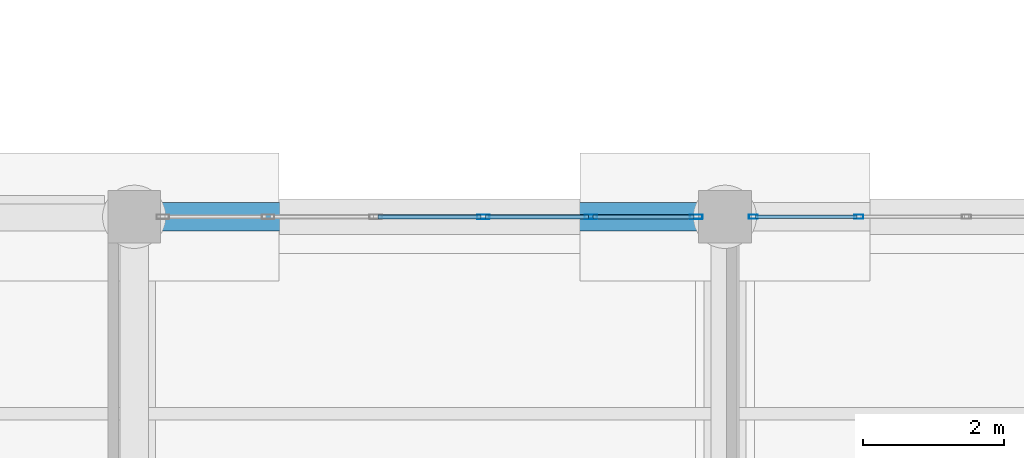
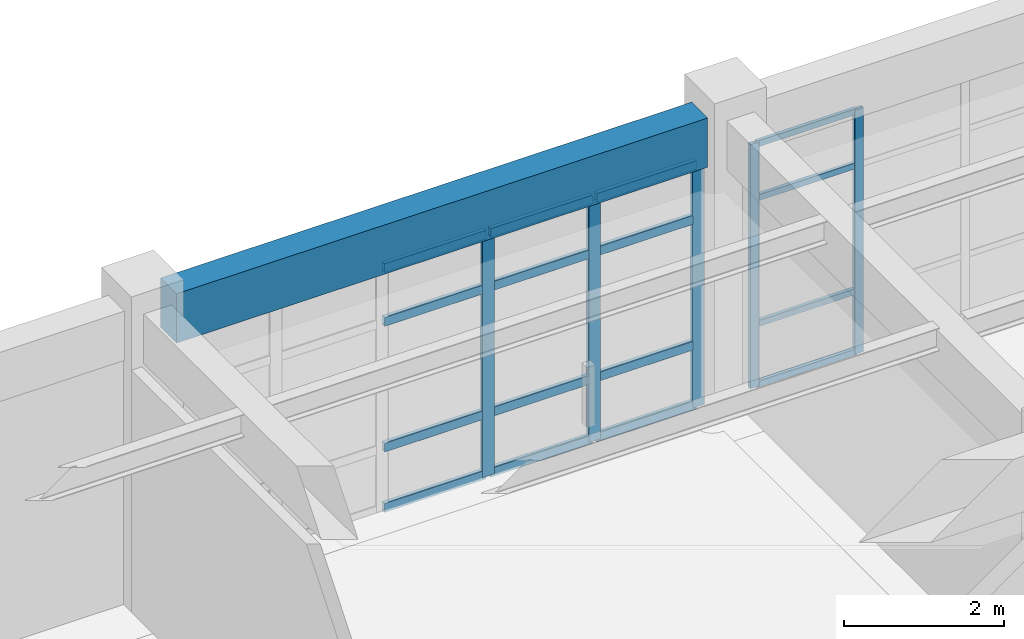
# One storey, part 6 of 29: 21 members, 1 beam, 2 elements without a shape of their own.
"""IFC4 building model written with IfcOpenShell, lengths in metres."""

from ifc_helpers import new_model, si_unit, direction, frame, origin, origin_2d, place, context, subcontext, project, spatial, rectangle, hollow_rectangle, extrude, material, material_profile, profile_set, type_object, element, aggregate, save


model = new_model("IFC4")

# Units and contexts
model_context = context("Model", 3, precision=1e-05, world=origin(), true_north=direction((0.0, 1.0)))
body_context = subcontext(model_context, "Body", "Model", "MODEL_VIEW")
ifc_project = project(units=[si_unit("LENGTHUNIT", "METRE"), si_unit("AREAUNIT", "SQUARE_METRE"), si_unit("VOLUMEUNIT", "CUBIC_METRE"), si_unit("PLANEANGLEUNIT", "RADIAN"), si_unit("MASSUNIT", "GRAM", prefix="KILO")], contexts=[model_context])

# Site, building, storey
site_placement = place(None, origin())
site = spatial("IfcSite", under=ifc_project, at=site_placement, CompositionType="ELEMENT")
building_placement = place(site_placement, origin())
building = spatial("IfcBuilding", under=site, at=building_placement, Name="Canglan Escarpment Cableway Terminal", CompositionType="ELEMENT")
storey_placement = place(building_placement, origin())
storey = spatial("IfcBuildingStorey", under=building, at=storey_placement, Name="L00", CompositionType="ELEMENT", Elevation=0.0)

# Curtain wall, members
ifc_material_1 = material(Name="Anodized bronze aluminium and Low-E double glazing", Category="aluminium")
curtain_wall_type = type_object("IfcCurtainWallType", Name="CW-BAY-7650x3725", PredefinedType="NOTDEFINED", material=ifc_material_1)
curtain_wall_1_placement = place(storey_placement, origin())
curtain_wall_1 = element("IfcCurtainWall", 1, at=curtain_wall_1_placement, inside=storey, type_object=curtain_wall_type, Name="Classical bay-between-piers glazed curtain wall CW-01", PredefinedType="NOTDEFINED")
ifc_material_2 = material(Name="Thermally broken anodized aluminium 6063-T6", Category="aluminium")
ifc_material_profile_1 = material_profile(ifc_material_2, hollow_rectangle(XDim=0.06005859375, YDim=0.1298828125, WallThickness=0.0029296875, InnerFilletRadius=0.0029296875, OuterFilletRadius=0.006103515625, at=origin_2d()), Name="ALU-MULL 60x130x3")
ifc_profile_set_1 = profile_set([ifc_material_profile_1], Name="Thermally broken anodized aluminium 6063-T6")
member_type_1 = type_object("IfcMemberType", Name="CWM-01", PredefinedType="MULLION", material=ifc_profile_set_1)
member_1_placement = place(storey_placement, frame((35.10498046875, 24.800048828125, 0.0), z_axis=(0.0, 0.0, 1.0), x_axis=(0.0, -1.0, 0.0)))
member_1 = element("IfcMember", 2, at=member_1_placement, type_object=member_type_1, Name="CW-01 mullion 5", PredefinedType="MULLION", context=body_context, shape_type="SweptSolid", body=[
    extrude(hollow_rectangle(XDim=0.06005859375, YDim=0.1298828125, WallThickness=0.0029296875, InnerFilletRadius=0.0029296875, OuterFilletRadius=0.006103515625, at=origin_2d()), origin(), (0.0, 0.0, 1.0), 3.715087890625),
])
member_2_placement = place(storey_placement, frame((33.60498046875, 24.800048828125, 0.0), z_axis=(0.0, 0.0, 1.0), x_axis=(0.0, -1.0, 0.0)))
member_2 = element("IfcMember", 3, at=member_2_placement, type_object=member_type_1, Name="CW-01 mullion 6", PredefinedType="MULLION", context=body_context, shape_type="SweptSolid", body=[
    extrude(hollow_rectangle(XDim=0.06005859375, YDim=0.1298828125, WallThickness=0.0029296875, InnerFilletRadius=0.0029296875, OuterFilletRadius=0.006103515625, at=origin_2d()), origin(), (0.0, 0.0, 1.0), 3.715087890625),
])

curtain_wall_2_placement = place(storey_placement, origin())
curtain_wall_2 = element("IfcCurtainWall", 4, at=curtain_wall_2_placement, inside=storey, type_object=curtain_wall_type, Name="Classical bay-between-piers glazed curtain wall CW-01", PredefinedType="NOTDEFINED")
ifc_material_profile_2 = material_profile(ifc_material_2, hollow_rectangle(XDim=0.06494140625, YDim=0.179931640625, WallThickness=0.00390625, InnerFilletRadius=0.00390625, OuterFilletRadius=0.008056640625, at=origin_2d()), Name="ALU-MULL 65x180x4")
ifc_profile_set_2 = profile_set([ifc_material_profile_2], Name="Thermally broken anodized aluminium 6063-T6")
member_type_2 = type_object("IfcMemberType", Name="CWM-03", PredefinedType="MULLION", material=ifc_profile_set_2)
member_3_placement = place(storey_placement, frame((32.79248046875, 24.800048828125, 0.0), z_axis=(0.0, 0.0, 1.0), x_axis=(0.0, -1.0, 0.0)))
member_3 = element("IfcMember", 5, at=member_3_placement, type_object=member_type_2, Name="CW-01 mullion 1", PredefinedType="MULLION", context=body_context, shape_type="SweptSolid", body=[
    extrude(hollow_rectangle(XDim=0.06494140625, YDim=0.179931640625, WallThickness=0.00390625, InnerFilletRadius=0.00390625, OuterFilletRadius=0.008056640625, at=origin_2d()), origin(), (0.0, 0.0, 1.0), 3.715087890625),
])
member_4_placement = place(storey_placement, frame((31.294921875, 24.800048828125, 0.0), z_axis=(0.0, 0.0, 1.0), x_axis=(0.0, -1.0, 0.0)))
member_4 = element("IfcMember", 6, at=member_4_placement, type_object=member_type_2, Name="CW-01 mullion 2", PredefinedType="MULLION", context=body_context, shape_type="SweptSolid", body=[
    extrude(hollow_rectangle(XDim=0.06494140625, YDim=0.179931640625, WallThickness=0.00390625, InnerFilletRadius=0.00390625, OuterFilletRadius=0.008056640625, at=origin_2d()), origin(), (0.0, 0.0, 1.0), 3.715087890625),
])
member_5_placement = place(storey_placement, frame((29.764892578125, 24.800048828125, 0.0), z_axis=(0.0, 0.0, 1.0), x_axis=(0.0, -1.0, 0.0)))
member_5 = element("IfcMember", 7, at=member_5_placement, type_object=member_type_2, Name="CW-01 mullion 3", PredefinedType="MULLION", context=body_context, shape_type="SweptSolid", body=[
    extrude(hollow_rectangle(XDim=0.06494140625, YDim=0.179931640625, WallThickness=0.00390625, InnerFilletRadius=0.00390625, OuterFilletRadius=0.008056640625, at=origin_2d()), origin(), (0.0, 0.0, 1.0), 3.715087890625),
])

# Member
ifc_material_profile_3 = material_profile(ifc_material_2, hollow_rectangle(XDim=0.054931640625, YDim=0.094970703125, WallThickness=0.0029296875, InnerFilletRadius=0.0029296875, OuterFilletRadius=0.006103515625, at=origin_2d()), Name="ALU-TRAN 55x95x3")
ifc_profile_set_3 = profile_set([ifc_material_profile_3], Name="Thermally broken anodized aluminium 6063-T6")
member_type_3 = type_object("IfcMemberType", Name="CWT-01", PredefinedType="USERDEFINED", material=ifc_profile_set_3)
member_6_placement = place(storey_placement, frame((35.074951171875, 24.800048828125, 0.027587890625), z_axis=(-1.0, 0.0, 0.0), x_axis=(0.0, -1.0, 0.0)))
member_6 = element("IfcMember", 8, at=member_6_placement, type_object=member_type_3, Name="CW-01 transom 5.1", ObjectType="TRANSOM", PredefinedType="USERDEFINED", context=body_context, shape_type="SweptSolid", body=[
    extrude(hollow_rectangle(XDim=0.054931640625, YDim=0.094970703125, WallThickness=0.0029296875, InnerFilletRadius=0.0029296875, OuterFilletRadius=0.006103515625, at=origin_2d()), origin(), (0.0, 0.0, 1.0), 1.43994140625),
])

member_7_placement = place(storey_placement, frame((35.074951171875, 24.800048828125, 0.949951171875), z_axis=(-1.0, 0.0, 0.0), x_axis=(0.0, -1.0, 0.0)))
member_7 = element("IfcMember", 9, at=member_7_placement, type_object=member_type_3, Name="CW-01 transom 5.2", ObjectType="TRANSOM", PredefinedType="USERDEFINED", context=body_context, shape_type="SweptSolid", body=[
    extrude(hollow_rectangle(XDim=0.054931640625, YDim=0.094970703125, WallThickness=0.0029296875, InnerFilletRadius=0.0029296875, OuterFilletRadius=0.006103515625, at=origin_2d()), origin(), (0.0, 0.0, 1.0), 1.43994140625),
])

member_8_placement = place(storey_placement, frame((35.074951171875, 24.800048828125, 2.864990234375), z_axis=(-1.0, 0.0, 0.0), x_axis=(0.0, -1.0, 0.0)))
member_8 = element("IfcMember", 10, at=member_8_placement, type_object=member_type_3, Name="CW-01 transom 5.3", ObjectType="TRANSOM", PredefinedType="USERDEFINED", context=body_context, shape_type="SweptSolid", body=[
    extrude(hollow_rectangle(XDim=0.054931640625, YDim=0.094970703125, WallThickness=0.0029296875, InnerFilletRadius=0.0029296875, OuterFilletRadius=0.006103515625, at=origin_2d()), origin(), (0.0, 0.0, 1.0), 1.43994140625),
])

member_9_placement = place(storey_placement, frame((35.074951171875, 24.800048828125, 3.6875), z_axis=(-1.0, 0.0, 0.0), x_axis=(0.0, -1.0, 0.0)))
member_9 = element("IfcMember", 11, at=member_9_placement, type_object=member_type_3, Name="CW-01 transom 5.4", ObjectType="TRANSOM", PredefinedType="USERDEFINED", context=body_context, shape_type="SweptSolid", body=[
    extrude(hollow_rectangle(XDim=0.054931640625, YDim=0.094970703125, WallThickness=0.0029296875, InnerFilletRadius=0.0029296875, OuterFilletRadius=0.006103515625, at=origin_2d()), origin(), (0.0, 0.0, 1.0), 1.43994140625),
])

aggregate(curtain_wall_1, [member_1, member_2, member_6, member_7, member_8, member_9])

ifc_material_profile_4 = material_profile(ifc_material_2, hollow_rectangle(XDim=0.06494140625, YDim=0.139892578125, WallThickness=0.00341796875, InnerFilletRadius=0.00341796875, OuterFilletRadius=0.007080078125, at=origin_2d()), Name="ALU-TRAN 65x140x3.5")
ifc_profile_set_4 = profile_set([ifc_material_profile_4], Name="Thermally broken anodized aluminium 6063-T6")
member_type_4 = type_object("IfcMemberType", Name="CWT-03", PredefinedType="USERDEFINED", material=ifc_profile_set_4)
member_10_placement = place(storey_placement, frame((32.760009765625, 24.800048828125, 0.032470703125), z_axis=(-1.0, 0.0, 0.0), x_axis=(0.0, -1.0, 0.0)))
member_10 = element("IfcMember", 12, at=member_10_placement, type_object=member_type_4, Name="CW-01 transom 1.1", ObjectType="TRANSOM", PredefinedType="USERDEFINED", context=body_context, shape_type="SweptSolid", body=[
    extrude(hollow_rectangle(XDim=0.06494140625, YDim=0.139892578125, WallThickness=0.00341796875, InnerFilletRadius=0.00341796875, OuterFilletRadius=0.007080078125, at=origin_2d()), origin(), (0.0, 0.0, 1.0), 1.4326171875),
])

member_11_placement = place(storey_placement, frame((32.760009765625, 24.800048828125, 0.949951171875), z_axis=(-1.0, 0.0, 0.0), x_axis=(0.0, -1.0, 0.0)))
member_11 = element("IfcMember", 13, at=member_11_placement, type_object=member_type_4, Name="CW-01 transom 1.2", ObjectType="TRANSOM", PredefinedType="USERDEFINED", context=body_context, shape_type="SweptSolid", body=[
    extrude(hollow_rectangle(XDim=0.06494140625, YDim=0.139892578125, WallThickness=0.00341796875, InnerFilletRadius=0.00341796875, OuterFilletRadius=0.007080078125, at=origin_2d()), origin(), (0.0, 0.0, 1.0), 1.4326171875),
])

member_12_placement = place(storey_placement, frame((32.760009765625, 24.800048828125, 2.864990234375), z_axis=(-1.0, 0.0, 0.0), x_axis=(0.0, -1.0, 0.0)))
member_12 = element("IfcMember", 14, at=member_12_placement, type_object=member_type_4, Name="CW-01 transom 1.3", ObjectType="TRANSOM", PredefinedType="USERDEFINED", context=body_context, shape_type="SweptSolid", body=[
    extrude(hollow_rectangle(XDim=0.06494140625, YDim=0.139892578125, WallThickness=0.00341796875, InnerFilletRadius=0.00341796875, OuterFilletRadius=0.007080078125, at=origin_2d()), origin(), (0.0, 0.0, 1.0), 1.4326171875),
])

member_13_placement = place(storey_placement, frame((32.760009765625, 24.800048828125, 3.6826171875), z_axis=(-1.0, 0.0, 0.0), x_axis=(0.0, -1.0, 0.0)))
member_13 = element("IfcMember", 15, at=member_13_placement, type_object=member_type_4, Name="CW-01 transom 1.4", ObjectType="TRANSOM", PredefinedType="USERDEFINED", context=body_context, shape_type="SweptSolid", body=[
    extrude(hollow_rectangle(XDim=0.06494140625, YDim=0.139892578125, WallThickness=0.00341796875, InnerFilletRadius=0.00341796875, OuterFilletRadius=0.007080078125, at=origin_2d()), origin(), (0.0, 0.0, 1.0), 1.4326171875),
])

member_14_placement = place(storey_placement, frame((31.262451171875, 24.800048828125, 0.032470703125), z_axis=(-1.0, 0.0, 0.0), x_axis=(0.0, -1.0, 0.0)))
member_14 = element("IfcMember", 16, at=member_14_placement, type_object=member_type_4, Name="CW-01 transom 2.1", ObjectType="TRANSOM", PredefinedType="USERDEFINED", context=body_context, shape_type="SweptSolid", body=[
    extrude(hollow_rectangle(XDim=0.06494140625, YDim=0.139892578125, WallThickness=0.00341796875, InnerFilletRadius=0.00341796875, OuterFilletRadius=0.007080078125, at=origin_2d()), origin(), (0.0, 0.0, 1.0), 1.46484375),
])

member_15_placement = place(storey_placement, frame((31.262451171875, 24.800048828125, 0.949951171875), z_axis=(-1.0, 0.0, 0.0), x_axis=(0.0, -1.0, 0.0)))
member_15 = element("IfcMember", 17, at=member_15_placement, type_object=member_type_4, Name="CW-01 transom 2.2", ObjectType="TRANSOM", PredefinedType="USERDEFINED", context=body_context, shape_type="SweptSolid", body=[
    extrude(hollow_rectangle(XDim=0.06494140625, YDim=0.139892578125, WallThickness=0.00341796875, InnerFilletRadius=0.00341796875, OuterFilletRadius=0.007080078125, at=origin_2d()), origin(), (0.0, 0.0, 1.0), 1.46484375),
])

member_16_placement = place(storey_placement, frame((31.262451171875, 24.800048828125, 2.864990234375), z_axis=(-1.0, 0.0, 0.0), x_axis=(0.0, -1.0, 0.0)))
member_16 = element("IfcMember", 18, at=member_16_placement, type_object=member_type_4, Name="CW-01 transom 2.3", ObjectType="TRANSOM", PredefinedType="USERDEFINED", context=body_context, shape_type="SweptSolid", body=[
    extrude(hollow_rectangle(XDim=0.06494140625, YDim=0.139892578125, WallThickness=0.00341796875, InnerFilletRadius=0.00341796875, OuterFilletRadius=0.007080078125, at=origin_2d()), origin(), (0.0, 0.0, 1.0), 1.46484375),
])

member_17_placement = place(storey_placement, frame((31.262451171875, 24.800048828125, 3.6826171875), z_axis=(-1.0, 0.0, 0.0), x_axis=(0.0, -1.0, 0.0)))
member_17 = element("IfcMember", 19, at=member_17_placement, type_object=member_type_4, Name="CW-01 transom 2.4", ObjectType="TRANSOM", PredefinedType="USERDEFINED", context=body_context, shape_type="SweptSolid", body=[
    extrude(hollow_rectangle(XDim=0.06494140625, YDim=0.139892578125, WallThickness=0.00341796875, InnerFilletRadius=0.00341796875, OuterFilletRadius=0.007080078125, at=origin_2d()), origin(), (0.0, 0.0, 1.0), 1.46484375),
])

member_18_placement = place(storey_placement, frame((29.732421875, 24.800048828125, 0.032470703125), z_axis=(-1.0, 0.0, 0.0), x_axis=(0.0, -1.0, 0.0)))
member_18 = element("IfcMember", 20, at=member_18_placement, type_object=member_type_4, Name="CW-01 transom 3.1", ObjectType="TRANSOM", PredefinedType="USERDEFINED", context=body_context, shape_type="SweptSolid", body=[
    extrude(hollow_rectangle(XDim=0.06494140625, YDim=0.139892578125, WallThickness=0.00341796875, InnerFilletRadius=0.00341796875, OuterFilletRadius=0.007080078125, at=origin_2d()), origin(), (0.0, 0.0, 1.0), 1.46484375),
])

member_19_placement = place(storey_placement, frame((29.732421875, 24.800048828125, 0.949951171875), z_axis=(-1.0, 0.0, 0.0), x_axis=(0.0, -1.0, 0.0)))
member_19 = element("IfcMember", 21, at=member_19_placement, type_object=member_type_4, Name="CW-01 transom 3.2", ObjectType="TRANSOM", PredefinedType="USERDEFINED", context=body_context, shape_type="SweptSolid", body=[
    extrude(hollow_rectangle(XDim=0.06494140625, YDim=0.139892578125, WallThickness=0.00341796875, InnerFilletRadius=0.00341796875, OuterFilletRadius=0.007080078125, at=origin_2d()), origin(), (0.0, 0.0, 1.0), 1.46484375),
])

member_20_placement = place(storey_placement, frame((29.732421875, 24.800048828125, 2.864990234375), z_axis=(-1.0, 0.0, 0.0), x_axis=(0.0, -1.0, 0.0)))
member_20 = element("IfcMember", 22, at=member_20_placement, type_object=member_type_4, Name="CW-01 transom 3.3", ObjectType="TRANSOM", PredefinedType="USERDEFINED", context=body_context, shape_type="SweptSolid", body=[
    extrude(hollow_rectangle(XDim=0.06494140625, YDim=0.139892578125, WallThickness=0.00341796875, InnerFilletRadius=0.00341796875, OuterFilletRadius=0.007080078125, at=origin_2d()), origin(), (0.0, 0.0, 1.0), 1.46484375),
])

member_21_placement = place(storey_placement, frame((29.732421875, 24.800048828125, 3.6826171875), z_axis=(-1.0, 0.0, 0.0), x_axis=(0.0, -1.0, 0.0)))
member_21 = element("IfcMember", 23, at=member_21_placement, type_object=member_type_4, Name="CW-01 transom 3.4", ObjectType="TRANSOM", PredefinedType="USERDEFINED", context=body_context, shape_type="SweptSolid", body=[
    extrude(hollow_rectangle(XDim=0.06494140625, YDim=0.139892578125, WallThickness=0.00341796875, InnerFilletRadius=0.00341796875, OuterFilletRadius=0.007080078125, at=origin_2d()), origin(), (0.0, 0.0, 1.0), 1.46484375),
])

aggregate(curtain_wall_2, [member_3, member_4, member_5, member_10, member_11, member_12, member_13, member_14, member_15, member_16, member_17, member_18, member_19, member_20, member_21])

# Beam
ifc_material_3 = material(Name="Concrete C40", Category="concrete")
ifc_material_profile_5 = material_profile(ifc_material_3, rectangle(XDim=0.39990234375, YDim=0.75, at=origin_2d()), Name="RC 400x750")
ifc_profile_set_5 = profile_set([ifc_material_profile_5], Name="Concrete C40")
beam_type = type_object("IfcBeamType", Name="SP-RC400x750", PredefinedType="SPANDREL", material=ifc_profile_set_5)
beam_placement = place(storey_placement, frame((25.175048828125, 24.800048828125, 4.10498046875), z_axis=(1.0, 0.0, 0.0), x_axis=(0.0, 1.0, 0.0)))
element("IfcBeam", 24, at=beam_placement, inside=storey, type_object=beam_type, Name="Primary structural girder SP-01", PredefinedType="SPANDREL", context=body_context, shape_type="SweptSolid", body=[
    extrude(rectangle(XDim=0.39990234375, YDim=0.75, at=origin_2d()), origin(), (0.0, 0.0, 1.0), 7.64990234375),
])

save(model, "model.ifc")
